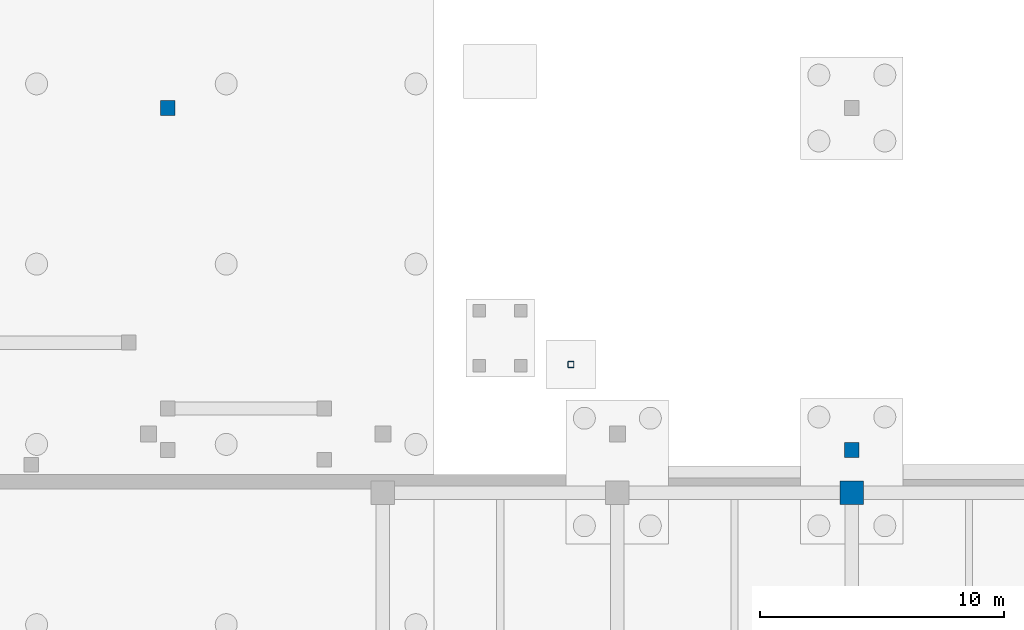
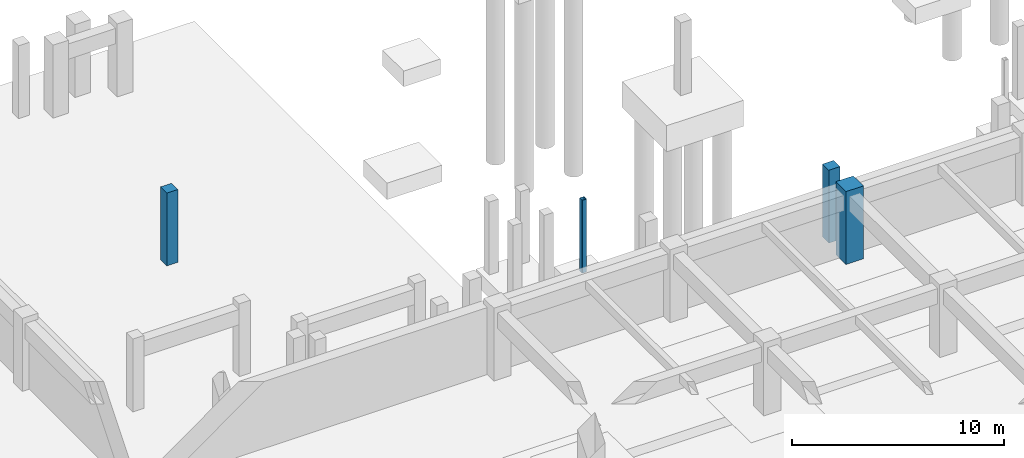
# One storey, part 7 of 39: 4 columns.
"""IFC4 building model written with IfcOpenShell, lengths in metres."""

from ifc_helpers import new_model, si_unit, direction, frame, origin, origin_2d, place, context, subcontext, project, spatial, rectangle, hollow_rectangle, extrude, material, material_profile, profile_set, type_object, element, save


model = new_model("IFC4")

# Units and contexts
model_context = context("Model", 3, precision=1e-05, world=origin(), true_north=direction((0.0, 1.0)))
body_context = subcontext(model_context, "Body", "Model", "MODEL_VIEW")
ifc_project = project(units=[si_unit("LENGTHUNIT", "METRE"), si_unit("AREAUNIT", "SQUARE_METRE"), si_unit("VOLUMEUNIT", "CUBIC_METRE"), si_unit("PLANEANGLEUNIT", "RADIAN"), si_unit("MASSUNIT", "GRAM", prefix="KILO")], contexts=[model_context])

# Site, building, storey
site_placement = place(None, origin())
site = spatial("IfcSite", under=ifc_project, at=site_placement, CompositionType="ELEMENT")
building_placement = place(site_placement, origin())
building = spatial("IfcBuilding", under=site, at=building_placement, Name="Nakhvara Creek Congress Hotel", CompositionType="ELEMENT")
storey_placement = place(building_placement, frame((0.0, 0.0, -8.39990234375)))
storey = spatial("IfcBuildingStorey", under=building, at=storey_placement, Name="B2", CompositionType="ELEMENT", Elevation=-8.39990234375)

# Columns
ifc_material_1 = material(Name="Concrete C50/60", Category="concrete")
ifc_material_profile_1 = material_profile(ifc_material_1, rectangle(XDim=0.60009765625, YDim=0.60009765625, at=origin_2d()), Name="RC-COL 600x600", Category="LoadBearing")
ifc_profile_set_1 = profile_set([ifc_material_profile_1], Name="Concrete C50/60")
column_type_1 = type_object("IfcColumnType", Name="COL-RC-600", PredefinedType="COLUMN", material=ifc_profile_set_1)
for number, where, z_axis, x_axis, name in (
    (1, (68.0, 111.0, 0.0), (0.0, 0.0, 1.0), (1.0, 0.0, 0.0), "Column C08-B2-0248"),
    (2, (96.0, 97.0, 0.0), (0.0, 0.0, 1.0), (1.0, 0.0, 0.0), "Column C08-B2-0250"),
):
    element("IfcColumn", number, at=place(storey_placement, frame(where, z_axis=z_axis, x_axis=x_axis)), inside=storey, type_object=column_type_1, Name=name, PredefinedType="COLUMN", context=body_context, shape_type="SweptSolid", body=[
        extrude(rectangle(XDim=0.60009765625, YDim=0.60009765625, at=origin_2d()), origin(), (0.0, 0.0, 1.0), 4.199951171875),
    ])
ifc_material_profile_2 = material_profile(ifc_material_1, rectangle(XDim=0.949951171875, YDim=0.949951171875, at=origin_2d()), Name="RC-COL 950x950", Category="LoadBearing")
ifc_profile_set_2 = profile_set([ifc_material_profile_2], Name="Concrete C50/60")
column_type_2 = type_object("IfcColumnType", Name="COL-RC-950", PredefinedType="COLUMN", material=ifc_profile_set_2)
column_1_placement = place(storey_placement, frame((96.0, 95.25, 0.0), z_axis=(0.0, 0.0, 1.0), x_axis=(1.0, 0.0, 0.0)))
element("IfcColumn", 3, at=column_1_placement, inside=storey, type_object=column_type_2, Name="Column C17-B2-0123", PredefinedType="COLUMN", context=body_context, shape_type="SweptSolid", body=[
    extrude(rectangle(XDim=0.949951171875, YDim=0.949951171875, at=origin_2d()), origin(), (0.0, 0.0, 1.0), 4.199951171875),
])
ifc_material_2 = material(Name="Steel S355J2", Category="steel")
ifc_material_profile_3 = material_profile(ifc_material_2, hollow_rectangle(XDim=0.25, YDim=0.25, WallThickness=0.012451171875, InnerFilletRadius=0.012451171875, OuterFilletRadius=0.02490234375, at=origin_2d()), Name="SHS 250x250x12.5", Category="LoadBearing")
ifc_profile_set_3 = profile_set([ifc_material_profile_3], Name="Steel S355J2")
column_type_3 = type_object("IfcColumnType", Name="COL-ST-SHS250", PredefinedType="COLUMN", material=ifc_profile_set_3)
column_2_placement = place(storey_placement, frame((84.5, 100.5, 0.0), z_axis=(0.0, 0.0, 1.0), x_axis=(1.0, 0.0, 0.0)))
element("IfcColumn", 4, at=column_2_placement, inside=storey, type_object=column_type_3, Name="Plaza Steel Sub-Column B2-1", PredefinedType="COLUMN", context=body_context, shape_type="SweptSolid", body=[
    extrude(hollow_rectangle(XDim=0.25, YDim=0.25, WallThickness=0.012451171875, InnerFilletRadius=0.012451171875, OuterFilletRadius=0.02490234375, at=origin_2d()), origin(), (0.0, 0.0, 1.0), 4.199951171875),
])

save(model, "model.ifc")
